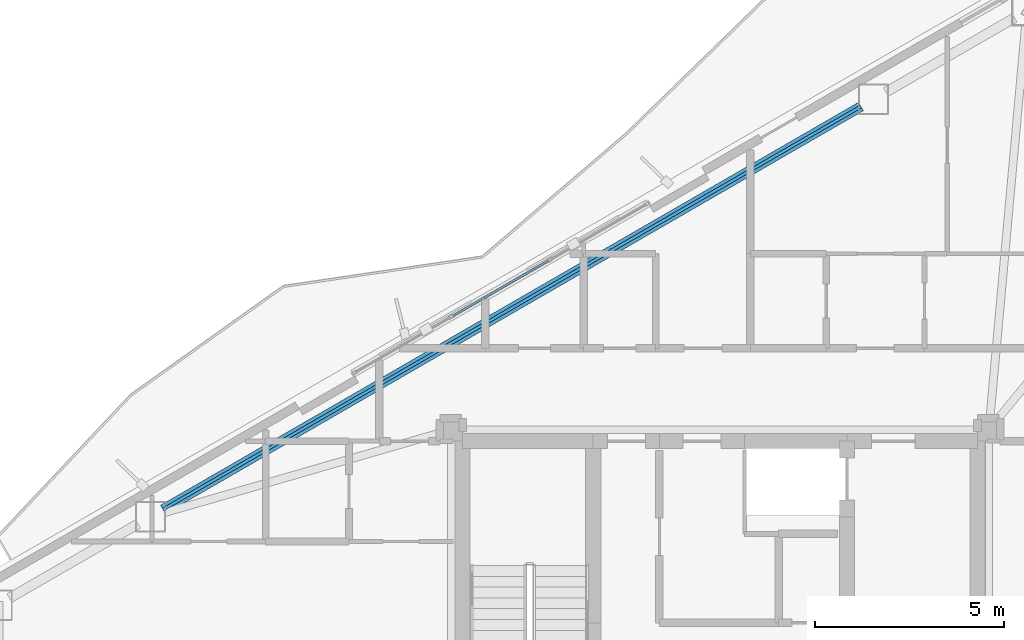
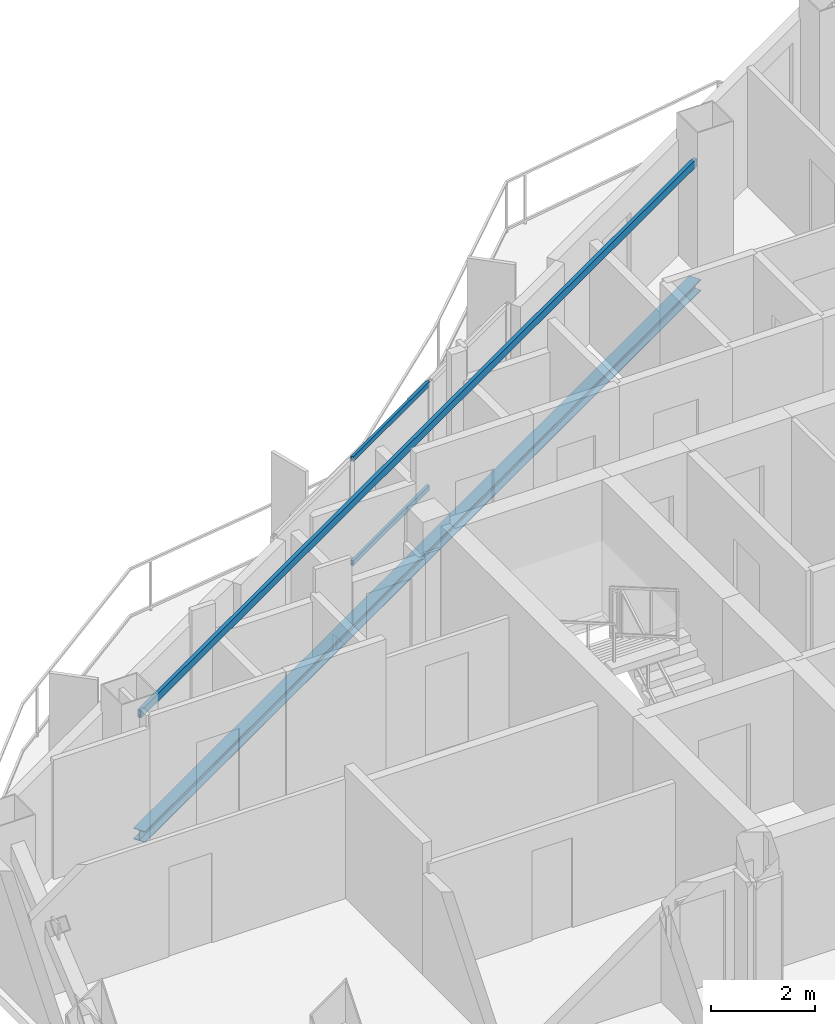
# One storey, part 9 of 22: 2 beams, 2 members, 1 element without a shape of its own.
"""IFC4 building model written with IfcOpenShell, lengths in metres."""

from ifc_helpers import new_model, si_unit, direction, frame, origin, origin_2d, place, context, subcontext, project, spatial, hollow_rectangle, i_section, extrude, material, layer, layer_set, material_profile, profile_set, type_object, element, aggregate, save


model = new_model("IFC4")

# Units and contexts
model_context = context("Model", 3, precision=1e-05, world=origin(), true_north=direction((0.0, 1.0)))
body_context = subcontext(model_context, "Body", "Model", "MODEL_VIEW")
ifc_project = project(units=[si_unit("LENGTHUNIT", "METRE"), si_unit("AREAUNIT", "SQUARE_METRE"), si_unit("VOLUMEUNIT", "CUBIC_METRE"), si_unit("PLANEANGLEUNIT", "RADIAN"), si_unit("MASSUNIT", "GRAM", prefix="KILO")], contexts=[model_context])

# Site, building, storey
site_placement = place(None, origin())
site = spatial("IfcSite", under=ifc_project, at=site_placement, CompositionType="ELEMENT")
building_placement = place(site_placement, origin())
building = spatial("IfcBuilding", under=site, at=building_placement, Name="Mersakhor Tower and Convention Hall", CompositionType="ELEMENT")
storey_placement = place(building_placement, frame((0.0, 0.0, 195.300048828125)))
storey = spatial("IfcBuildingStorey", under=building, at=storey_placement, Name="L54", CompositionType="ELEMENT", Elevation=195.300048828125)

# Beams
ifc_material_1 = material(Name="Steel S355", Category="steel")
ifc_material_profile_1 = material_profile(ifc_material_1, hollow_rectangle(XDim=0.080078125, YDim=0.179931640625, WallThickness=0.008056640625, at=origin_2d()), Name="RHS 180x80x8")
ifc_profile_set_1 = profile_set([ifc_material_profile_1], Name="Steel S355")
beam_type_1 = type_object("IfcBeamType", Name="BM-GRT-RHS180", PredefinedType="USERDEFINED", material=ifc_profile_set_1)
beam_1_placement = place(storey_placement, frame((14.288818359375, 30.94482421875, 2.47998046875), z_axis=(0.866024569776, 0.500001444543, 0.0), x_axis=(-0.500001444543, 0.866024569776, 0.0)))
element("IfcBeam", 1, at=beam_1_placement, inside=storey, type_object=beam_type_1, Name="L54 Facade Support Girt GRT-F1", ObjectType="GIRT", PredefinedType="USERDEFINED", context=body_context, shape_type="SweptSolid", body=[
    extrude(hollow_rectangle(XDim=0.080078125, YDim=0.179931640625, WallThickness=0.008056640625, at=origin_2d()), origin(), (0.0, 0.0, 1.0), 21.28564453125),
])
ifc_material_2 = material(Name="Steel S355", Category="steel")
ifc_material_profile_2 = material_profile(ifc_material_2, i_section(OverallWidth=0.25634765625, OverallDepth=0.26025390625, WebThickness=0.01025390625, FlangeThickness=0.017333984375, at=origin_2d()), Name="UC 254x254x89")
ifc_profile_set_2 = profile_set([ifc_material_profile_2], Name="Steel S355")
beam_type_2 = type_object("IfcBeamType", Name="BM-SPD-UC254", PredefinedType="SPANDREL", material=ifc_profile_set_2)
beam_2_placement = place(storey_placement, frame((14.288818359375, 30.94482421875, -0.360107421875), z_axis=(0.866024569776, 0.500001444543, 0.0), x_axis=(-0.500001444543, 0.866024569776, 0.0)))
element("IfcBeam", 2, at=beam_2_placement, inside=storey, type_object=beam_type_2, Name="L54 Perimeter Spandrel Beam SPB-02", PredefinedType="SPANDREL", context=body_context, shape_type="SweptSolid", body=[
    extrude(i_section(OverallWidth=0.25634765625, OverallDepth=0.26025390625, WebThickness=0.01025390625, FlangeThickness=0.017333984375, at=origin_2d()), origin(), (0.0, 0.0, 1.0), 21.28564453125),
])

# Curtain wall, members
ifc_material_3 = material(Name="Dark solar low-E aluminium curtain wall", Category="aluminium")
ifc_layer = layer(ifc_material_3, 0.169921875)
ifc_layer_set = layer_set([ifc_layer], Name="Dark solar low-E aluminium curtain wall")
curtain_wall_type = type_object("IfcCurtainWallType", Name="CW-SYS-02", PredefinedType="USERDEFINED", material=ifc_layer_set)
curtain_wall_placement = place(storey_placement, origin())
curtain_wall = element("IfcCurtainWall", 3, at=curtain_wall_placement, inside=storey, type_object=curtain_wall_type, Name="L54 Dark-Glass Curtain Wall F1-B2", ObjectType="CURTAIN WALL", PredefinedType="USERDEFINED")
ifc_material_4 = material(Name="Anodised aluminium EN AW-6063 T6", Category="aluminium")
ifc_material_profile_3 = material_profile(ifc_material_4, hollow_rectangle(XDim=0.06005859375, YDim=0.1201171875, WallThickness=0.0048828125, at=origin_2d()), Name="RHS 120x60x5")
ifc_profile_set_3 = profile_set([ifc_material_profile_3], Name="Anodised aluminium EN AW-6063 T6")
member_type = type_object("IfcMemberType", Name="CWT-120x60", PredefinedType="USERDEFINED", material=ifc_profile_set_3)
member_1_placement = place(storey_placement, frame((21.939453125, 36.0546875, 0.22998046875), z_axis=(0.866004860328, 0.500035580622, 0.0), x_axis=(-0.500035580622, 0.866004860328, 0.0)))
member_1 = element("IfcMember", 4, at=member_1_placement, type_object=member_type, Name="CW-02 transom 2.1", ObjectType="TRANSOM", PredefinedType="USERDEFINED", context=body_context, shape_type="SweptSolid", body=[
    extrude(hollow_rectangle(XDim=0.06005859375, YDim=0.1201171875, WallThickness=0.0048828125, at=origin_2d()), origin(), (0.0, 0.0, 1.0), 2.924560546875),
])
member_2_placement = place(storey_placement, frame((21.939453125, 36.0546875, 2.659912109375), z_axis=(0.866004860328, 0.500035580622, 0.0), x_axis=(-0.500035580622, 0.866004860328, 0.0)))
member_2 = element("IfcMember", 5, at=member_2_placement, type_object=member_type, Name="CW-02 transom 2.2", ObjectType="TRANSOM", PredefinedType="USERDEFINED", context=body_context, shape_type="SweptSolid", body=[
    extrude(hollow_rectangle(XDim=0.06005859375, YDim=0.1201171875, WallThickness=0.0048828125, at=origin_2d()), origin(), (0.0, 0.0, 1.0), 2.924560546875),
])
aggregate(curtain_wall, [member_1, member_2])

save(model, "model.ifc")
